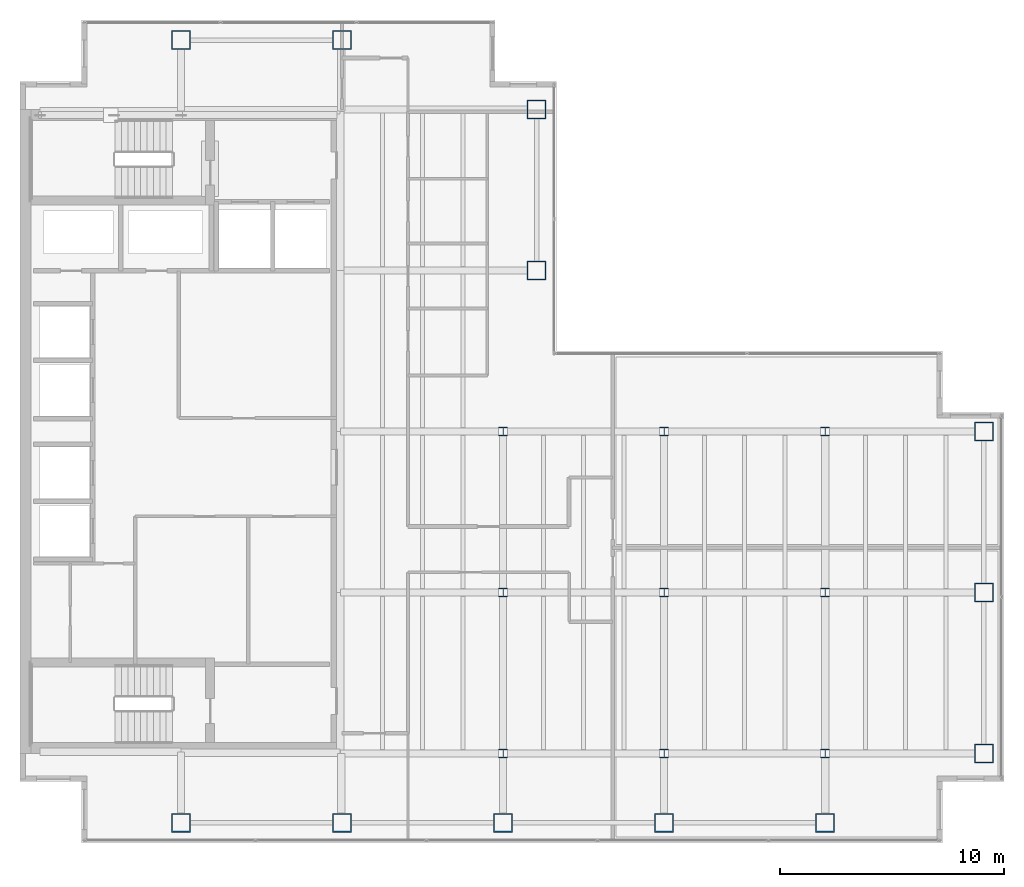
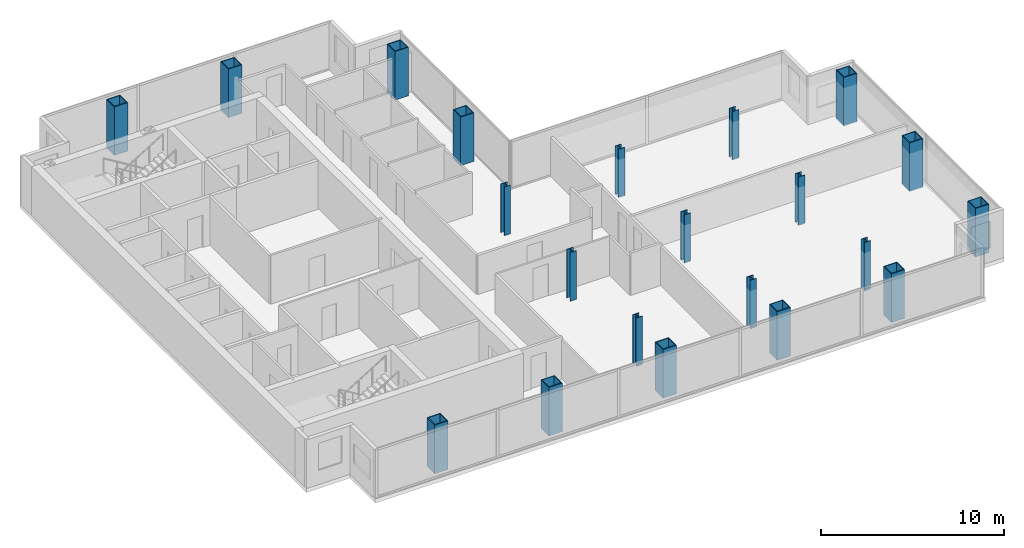
# One storey, part 1 of 23: 21 columns.
"""IFC4 building model written with IfcOpenShell, lengths in metres."""

from ifc_helpers import new_model, si_unit, direction, frame, origin, origin_2d, place, context, subcontext, project, spatial, hollow_rectangle, i_section, extrude, material, material_profile, profile_set, type_object, element, save


model = new_model("IFC4")

# Units and contexts
model_context = context("Model", 3, precision=1e-05, world=origin(), true_north=direction((0.0, 1.0)))
body_context = subcontext(model_context, "Body", "Model", "MODEL_VIEW")
ifc_project = project(units=[si_unit("LENGTHUNIT", "METRE"), si_unit("AREAUNIT", "SQUARE_METRE"), si_unit("VOLUMEUNIT", "CUBIC_METRE"), si_unit("PLANEANGLEUNIT", "RADIAN"), si_unit("MASSUNIT", "GRAM", prefix="KILO")], contexts=[model_context])

# Site, building, storey
site_placement = place(None, origin())
site = spatial("IfcSite", under=ifc_project, at=site_placement, CompositionType="ELEMENT")
building_placement = place(site_placement, origin())
building = spatial("IfcBuilding", under=site, at=building_placement, Name="Cobrela Telecom Tower", CompositionType="ELEMENT")
storey_placement = place(building_placement, frame((0.0, 0.0, 176.75)))
storey = spatial("IfcBuildingStorey", under=building, at=storey_placement, Name="L44", CompositionType="ELEMENT", Elevation=176.75)

# Columns
ifc_material_1 = material(Name="Steel ASTM A992 Grade 50", Category="steel")
ifc_material_profile_1 = material_profile(ifc_material_1, i_section(OverallWidth=0.39892578125, OverallDepth=0.39404296875, WebThickness=0.022705078125, FlangeThickness=0.03662109375, FilletRadius=0.01806640625, at=origin_2d()), Name="W14X193")
ifc_profile_set_1 = profile_set([ifc_material_profile_1], Name="Steel ASTM A992 Grade 50")
column_type_1 = type_object("IfcColumnType", Name="COL-INT-06", PredefinedType="COLUMN", material=ifc_profile_set_1)
for number, where, z_axis, x_axis, name in (
    (1, (21.60009765625, 7.199951171875, 0.0), (0.0, 0.0, 1.0), (1.0, 0.0, 0.0), "L44 Interior Column 06"),
    (2, (21.60009765625, 14.39990234375, 0.0), (0.0, 0.0, 1.0), (1.0, 0.0, 0.0), "L44 Interior Column 07"),
    (3, (21.60009765625, 21.60009765625, 0.0), (0.0, 0.0, 1.0), (1.0, 0.0, 0.0), "L44 Interior Column 08"),
    (4, (28.800048828125, 7.199951171875, 0.0), (0.0, 0.0, 1.0), (1.0, 0.0, 0.0), "L44 Interior Column 12"),
    (5, (28.800048828125, 14.39990234375, 0.0), (0.0, 0.0, 1.0), (1.0, 0.0, 0.0), "L44 Interior Column 13"),
    (6, (28.800048828125, 21.60009765625, 0.0), (0.0, 0.0, 1.0), (1.0, 0.0, 0.0), "L44 Interior Column 14"),
    (7, (36.0, 7.199951171875, 0.0), (0.0, 0.0, 1.0), (1.0, 0.0, 0.0), "L44 Interior Column 16"),
    (8, (36.0, 14.39990234375, 0.0), (0.0, 0.0, 1.0), (1.0, 0.0, 0.0), "L44 Interior Column 17"),
    (9, (36.0, 21.60009765625, 0.0), (0.0, 0.0, 1.0), (1.0, 0.0, 0.0), "L44 Interior Column 18"),
):
    element("IfcColumn", number, at=place(storey_placement, frame(where, z_axis=z_axis, x_axis=x_axis)), inside=storey, type_object=column_type_1, Name=name, PredefinedType="COLUMN", context=body_context, shape_type="SweptSolid", body=[
        extrude(i_section(OverallWidth=0.39892578125, OverallDepth=0.39404296875, WebThickness=0.022705078125, FlangeThickness=0.03662109375, FilletRadius=0.01806640625, at=origin_2d()), origin(), (0.0, 0.0, 1.0), 3.239990234375),
    ])
ifc_material_2 = material(Name="Steel ASTM A572 Grade 50", Category="steel")
ifc_material_profile_2 = material_profile(ifc_material_2, hollow_rectangle(XDim=0.85009765625, YDim=0.85009765625, WallThickness=0.050048828125, at=origin_2d()), Name="BOX 850x850x50")
ifc_profile_set_2 = profile_set([ifc_material_profile_2], Name="Steel ASTM A572 Grade 50")
column_type_2 = type_object("IfcColumnType", Name="COL-MEGA-06", PredefinedType="COLUMN", material=ifc_profile_set_2)
for number, where, z_axis, x_axis, name in (
    (10, (7.199951171875, 4.10009765625, 0.0), (0.0, 0.0, 1.0), (1.0, 0.0, 0.0), "L44 Perimeter Mega-Column 01"),
    (11, (7.199951171875, 39.10009765625, 0.0), (0.0, 0.0, 1.0), (1.0, 0.0, 0.0), "L44 Perimeter Mega-Column 02"),
    (12, (14.39990234375, 4.10009765625, 0.0), (0.0, 0.0, 1.0), (1.0, 0.0, 0.0), "L44 Perimeter Mega-Column 03"),
    (13, (14.39990234375, 39.10009765625, 0.0), (0.0, 0.0, 1.0), (1.0, 0.0, 0.0), "L44 Perimeter Mega-Column 04"),
    (14, (21.60009765625, 4.10009765625, 0.0), (0.0, 0.0, 1.0), (1.0, 0.0, 0.0), "L44 Perimeter Mega-Column 05"),
    (15, (23.10009765625, 28.800048828125, 0.0), (0.0, 0.0, 1.0), (1.0, 0.0, 0.0), "L44 Perimeter Mega-Column 09"),
    (16, (23.10009765625, 36.0, 0.0), (0.0, 0.0, 1.0), (1.0, 0.0, 0.0), "L44 Perimeter Mega-Column 10"),
    (17, (28.800048828125, 4.10009765625, 0.0), (0.0, 0.0, 1.0), (1.0, 0.0, 0.0), "L44 Perimeter Mega-Column 11"),
    (18, (36.0, 4.10009765625, 0.0), (0.0, 0.0, 1.0), (1.0, 0.0, 0.0), "L44 Perimeter Mega-Column 15"),
    (19, (43.10009765625, 7.199951171875, 0.0), (0.0, 0.0, 1.0), (1.0, 0.0, 0.0), "L44 Perimeter Mega-Column 19"),
    (20, (43.10009765625, 14.39990234375, 0.0), (0.0, 0.0, 1.0), (1.0, 0.0, 0.0), "L44 Perimeter Mega-Column 20"),
    (21, (43.10009765625, 21.60009765625, 0.0), (0.0, 0.0, 1.0), (1.0, 0.0, 0.0), "L44 Perimeter Mega-Column 21"),
):
    element("IfcColumn", number, at=place(storey_placement, frame(where, z_axis=z_axis, x_axis=x_axis)), inside=storey, type_object=column_type_2, Name=name, PredefinedType="COLUMN", context=body_context, shape_type="SweptSolid", body=[
        extrude(hollow_rectangle(XDim=0.85009765625, YDim=0.85009765625, WallThickness=0.050048828125, at=origin_2d()), origin(), (0.0, 0.0, 1.0), 3.239990234375),
    ])

save(model, "model.ifc")
